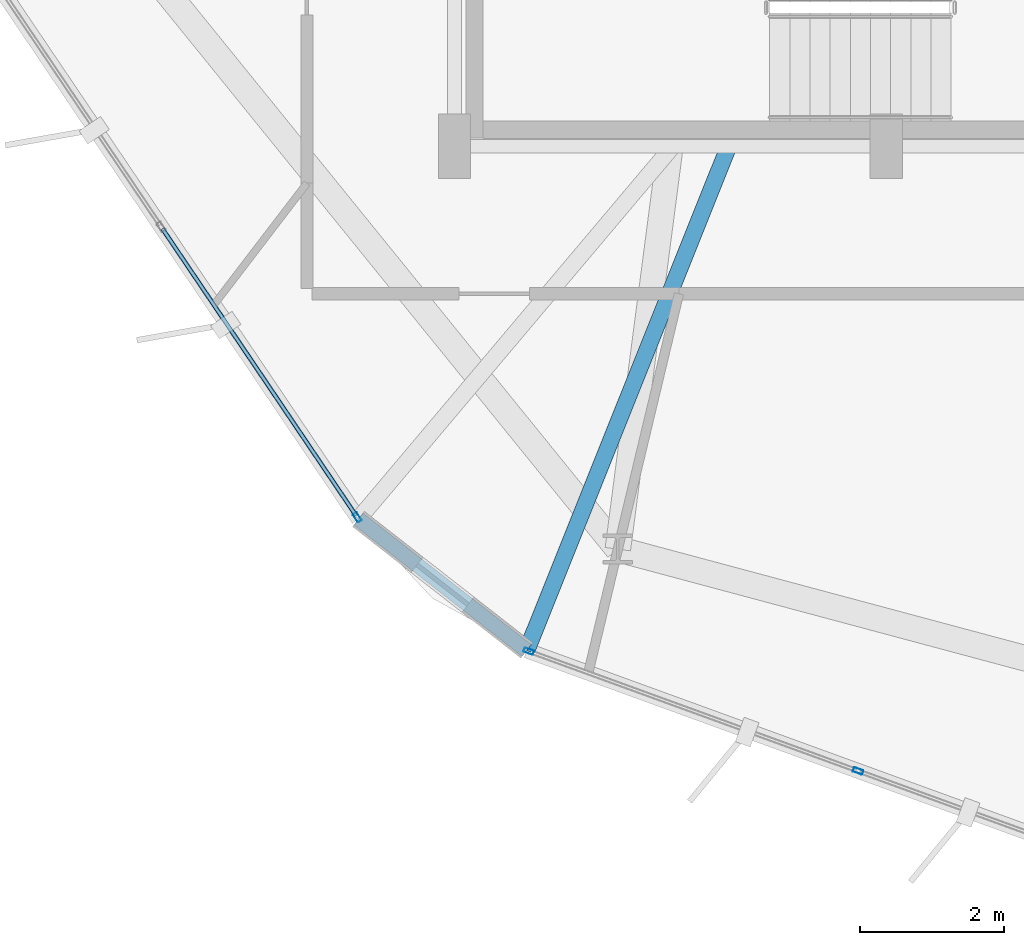
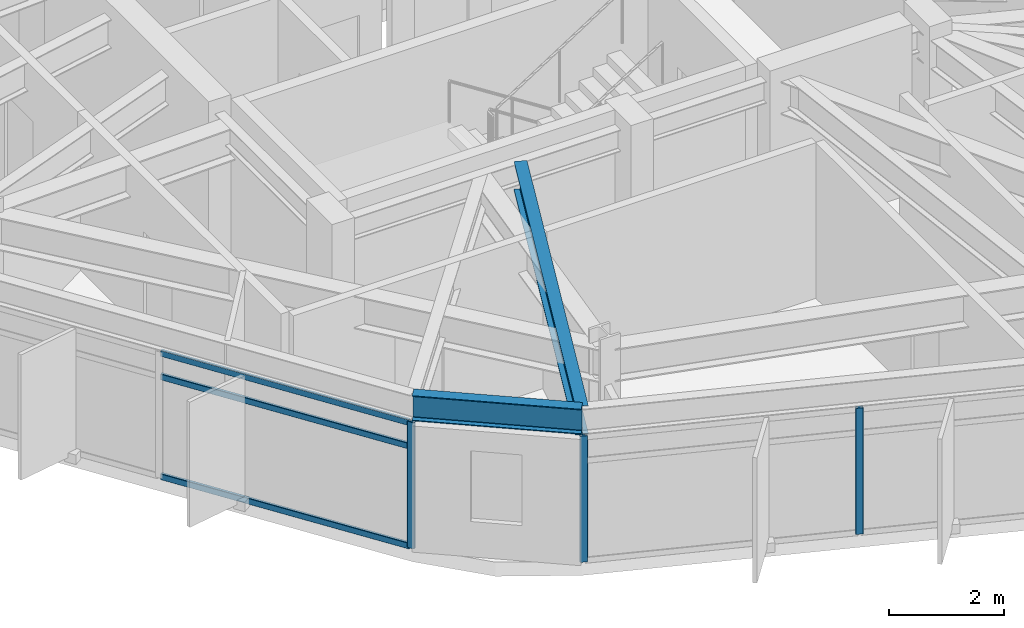
# One storey, part 2 of 30: 6 members, 2 beams, 2 elements without a shape of their own.
"""IFC4 building model written with IfcOpenShell, lengths in metres."""

from ifc_helpers import new_model, si_unit, direction, frame, origin, origin_2d, place, context, subcontext, project, spatial, hollow_rectangle, i_section, extrude, material, layer, layer_set, material_profile, profile_set, type_object, element, aggregate, save


model = new_model("IFC4")

# Units and contexts
model_context = context("Model", 3, precision=1e-05, world=origin(), true_north=direction((0.0, 1.0)))
body_context = subcontext(model_context, "Body", "Model", "MODEL_VIEW")
ifc_project = project(units=[si_unit("LENGTHUNIT", "METRE"), si_unit("AREAUNIT", "SQUARE_METRE"), si_unit("VOLUMEUNIT", "CUBIC_METRE"), si_unit("PLANEANGLEUNIT", "RADIAN"), si_unit("MASSUNIT", "GRAM", prefix="KILO")], contexts=[model_context])

# Site, building, storey
site_placement = place(None, origin())
site = spatial("IfcSite", under=ifc_project, at=site_placement, CompositionType="ELEMENT")
building_placement = place(site_placement, origin())
building = spatial("IfcBuilding", under=site, at=building_placement, Name="Soratama Intermodal Tower", CompositionType="ELEMENT")
storey_placement = place(building_placement, frame((0.0, 0.0, 223.0)))
storey = spatial("IfcBuildingStorey", under=building, at=storey_placement, Name="L56", CompositionType="ELEMENT", Elevation=223.0)

# Beams
ifc_material_1 = material(Name="Structural steel ASTM A992 Grade 50", Category="steel")
ifc_material_profile_1 = material_profile(ifc_material_1, i_section(OverallWidth=0.2099609375, OverallDepth=0.537109375, WebThickness=0.010986328125, FlangeThickness=0.017333984375, FilletRadius=0.012939453125, at=origin_2d()), Name="W21X68")
ifc_profile_set_1 = profile_set([ifc_material_profile_1], Name="Structural steel ASTM A992 Grade 50")
beam_type_1 = type_object("IfcBeamType", Name="BM-SPN-W21X68", PredefinedType="SPANDREL", material=ifc_profile_set_1)
beam_1_placement = place(storey_placement, frame((31.26611328125, 9.819091796875, 3.031494140625), z_axis=(0.788074278238, -0.615580158858, 0.0), x_axis=(0.615580158858, 0.788074278238, 0.0)))
element("IfcBeam", 1, at=beam_1_placement, inside=storey, type_object=beam_type_1, Name="BS-L56-CRN05", PredefinedType="SPANDREL", context=body_context, shape_type="SweptSolid", body=[
    extrude(i_section(OverallWidth=0.2099609375, OverallDepth=0.537109375, WebThickness=0.010986328125, FlangeThickness=0.017333984375, FilletRadius=0.012939453125, at=origin_2d()), origin(), (0.0, 0.0, 1.0), 2.966552734375),
])
ifc_material_2 = material(Name="Structural steel ASTM A992 Grade 50", Category="steel")
ifc_material_profile_2 = material_profile(ifc_material_2, i_section(OverallWidth=0.22900390625, OverallDepth=0.612060546875, WebThickness=0.011962890625, FlangeThickness=0.01953125, FilletRadius=0.012939453125, at=origin_2d()), Name="W24X84")
ifc_profile_set_2 = profile_set([ifc_material_profile_2], Name="Structural steel ASTM A992 Grade 50")
beam_type_2 = type_object("IfcBeamType", Name="BM-TIE-W24X84", PredefinedType="BEAM", material=ifc_profile_set_2)
beam_2_placement = place(storey_placement, frame((36.39501953125, 14.962890625, 2.993896484375), z_axis=(-0.371738249497, -0.928337586151, 0.0), x_axis=(0.928337586151, -0.371738249497, 0.0)))
element("IfcBeam", 2, at=beam_2_placement, inside=storey, type_object=beam_type_2, Name="BM-L56-TIE0-06", PredefinedType="BEAM", context=body_context, shape_type="SweptSolid", body=[
    extrude(i_section(OverallWidth=0.22900390625, OverallDepth=0.612060546875, WebThickness=0.011962890625, FlangeThickness=0.01953125, FilletRadius=0.012939453125, at=origin_2d()), origin(), (0.0, 0.0, 1.0), 7.508056640625),
])

# Curtain wall, member
ifc_material_3 = material(Name="Double-glazed aluminium curtain wall", Category="aluminium")
ifc_layer = layer(ifc_material_3, 0.159912109375)
ifc_layer_set = layer_set([ifc_layer], Name="Double-glazed aluminium curtain wall")
curtain_wall_type = type_object("IfcCurtainWallType", Name="CW-SYS-5", PredefinedType="NOTDEFINED", material=ifc_layer_set)
curtain_wall_1_placement = place(storey_placement, origin())
curtain_wall_1 = element("IfcCurtainWall", 3, at=curtain_wall_1_placement, inside=storey, type_object=curtain_wall_type, Name="L56 Faceted Curtain Wall F05", PredefinedType="NOTDEFINED")
ifc_material_4 = material(Name="Anodised aluminium AA 6063-T6", Category="aluminium")
ifc_material_profile_3 = material_profile(ifc_material_4, hollow_rectangle(XDim=0.06494140625, YDim=0.139892578125, WallThickness=0.0048828125, InnerFilletRadius=0.0048828125, OuterFilletRadius=0.010009765625, at=origin_2d()), Name="CWM140X65X5")
ifc_profile_set_3 = profile_set([ifc_material_profile_3], Name="Anodised aluminium AA 6063-T6")
member_type_1 = type_object("IfcMemberType", Name="MT-CWM-5", PredefinedType="MULLION", material=ifc_profile_set_3)
member_1_placement = place(storey_placement, frame((31.2490234375, 9.84375, 0.0), z_axis=(0.0, 0.0, 1.0), x_axis=(0.828842639505, 0.559481795001, 0.0)))
member_1 = element("IfcMember", 4, at=member_1_placement, type_object=member_type_1, Name="CW-5 mullion 3", PredefinedType="MULLION", context=body_context, shape_type="SweptSolid", body=[
    extrude(hollow_rectangle(XDim=0.06494140625, YDim=0.139892578125, WallThickness=0.0048828125, InnerFilletRadius=0.0048828125, OuterFilletRadius=0.010009765625, at=origin_2d()), origin(), (0.0, 0.0, 1.0), 2.678955078125),
])

# Curtain wall, members
curtain_wall_2_placement = place(storey_placement, origin())
curtain_wall_2 = element("IfcCurtainWall", 5, at=curtain_wall_2_placement, inside=storey, type_object=curtain_wall_type, Name="L56 Faceted Curtain Wall F06", PredefinedType="NOTDEFINED")
member_2_placement = place(storey_placement, frame((33.63232421875, 7.98291015625, 0.0), z_axis=(0.0, 0.0, 1.0), x_axis=(0.34169553132, 0.939810706406, 0.0)))
member_2 = element("IfcMember", 6, at=member_2_placement, type_object=member_type_1, Name="CW-5 mullion 1", PredefinedType="MULLION", context=body_context, shape_type="SweptSolid", body=[
    extrude(hollow_rectangle(XDim=0.06494140625, YDim=0.139892578125, WallThickness=0.0048828125, InnerFilletRadius=0.0048828125, OuterFilletRadius=0.010009765625, at=origin_2d()), origin(), (0.0, 0.0, 1.0), 2.678955078125),
])
member_3_placement = place(storey_placement, frame((38.208251953125, 6.3193359375, 0.0), z_axis=(0.0, 0.0, 1.0), x_axis=(0.34169553132, 0.939810706406, 0.0)))
member_3 = element("IfcMember", 7, at=member_3_placement, type_object=member_type_1, Name="CW-5 mullion 2", PredefinedType="MULLION", context=body_context, shape_type="SweptSolid", body=[
    extrude(hollow_rectangle(XDim=0.06494140625, YDim=0.139892578125, WallThickness=0.0048828125, InnerFilletRadius=0.0048828125, OuterFilletRadius=0.010009765625, at=origin_2d()), origin(), (0.0, 0.0, 1.0), 2.678955078125),
])
aggregate(curtain_wall_2, [member_2, member_3])

# Member
ifc_material_5 = material(Name="Anodised aluminium AA 6063-T6", Category="aluminium")
ifc_material_profile_4 = material_profile(ifc_material_5, hollow_rectangle(XDim=0.06005859375, YDim=0.1298828125, WallThickness=0.0048828125, InnerFilletRadius=0.0048828125, OuterFilletRadius=0.010009765625, at=origin_2d()), Name="CWT130X60X5")
ifc_profile_set_4 = profile_set([ifc_material_profile_4], Name="Anodised aluminium AA 6063-T6")
member_type_2 = type_object("IfcMemberType", Name="TT-CWT-2", PredefinedType="USERDEFINED", material=ifc_profile_set_4)
member_4_placement = place(storey_placement, frame((28.541748046875, 13.854248046875, 0.030029296875), z_axis=(0.559494654224, -0.828833959183, 0.0), x_axis=(0.828833959183, 0.559494654224, 0.0)))
member_4 = element("IfcMember", 8, at=member_4_placement, type_object=member_type_2, Name="CW-5 transom 2.1", ObjectType="TRANSOM", PredefinedType="USERDEFINED", context=body_context, shape_type="SweptSolid", body=[
    extrude(hollow_rectangle(XDim=0.06005859375, YDim=0.1298828125, WallThickness=0.0048828125, InnerFilletRadius=0.0048828125, OuterFilletRadius=0.010009765625, at=origin_2d()), origin(), (0.0, 0.0, 1.0), 4.80859375),
])

member_5_placement = place(storey_placement, frame((28.541748046875, 13.854248046875, 2.14990234375), z_axis=(0.559494654224, -0.828833959183, 0.0), x_axis=(0.828833959183, 0.559494654224, 0.0)))
member_5 = element("IfcMember", 9, at=member_5_placement, type_object=member_type_2, Name="CW-5 transom 2.2", ObjectType="TRANSOM", PredefinedType="USERDEFINED", context=body_context, shape_type="SweptSolid", body=[
    extrude(hollow_rectangle(XDim=0.06005859375, YDim=0.1298828125, WallThickness=0.0048828125, InnerFilletRadius=0.0048828125, OuterFilletRadius=0.010009765625, at=origin_2d()), origin(), (0.0, 0.0, 1.0), 4.80859375),
])

member_6_placement = place(storey_placement, frame((28.541748046875, 13.854248046875, 2.64892578125), z_axis=(0.559494654224, -0.828833959183, 0.0), x_axis=(0.828833959183, 0.559494654224, 0.0)))
member_6 = element("IfcMember", 10, at=member_6_placement, type_object=member_type_2, Name="CW-5 transom 2.3", ObjectType="TRANSOM", PredefinedType="USERDEFINED", context=body_context, shape_type="SweptSolid", body=[
    extrude(hollow_rectangle(XDim=0.06005859375, YDim=0.1298828125, WallThickness=0.0048828125, InnerFilletRadius=0.0048828125, OuterFilletRadius=0.010009765625, at=origin_2d()), origin(), (0.0, 0.0, 1.0), 4.80859375),
])

aggregate(curtain_wall_1, [member_1, member_4, member_5, member_6])

save(model, "model.ifc")
